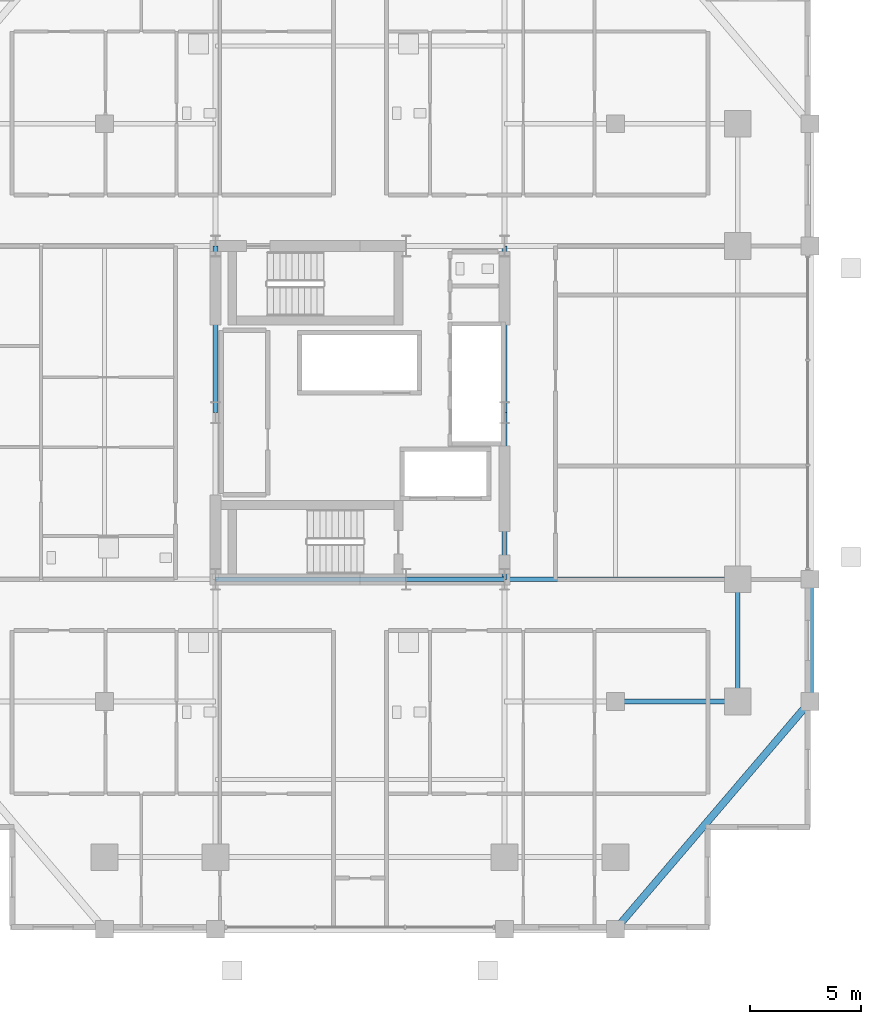
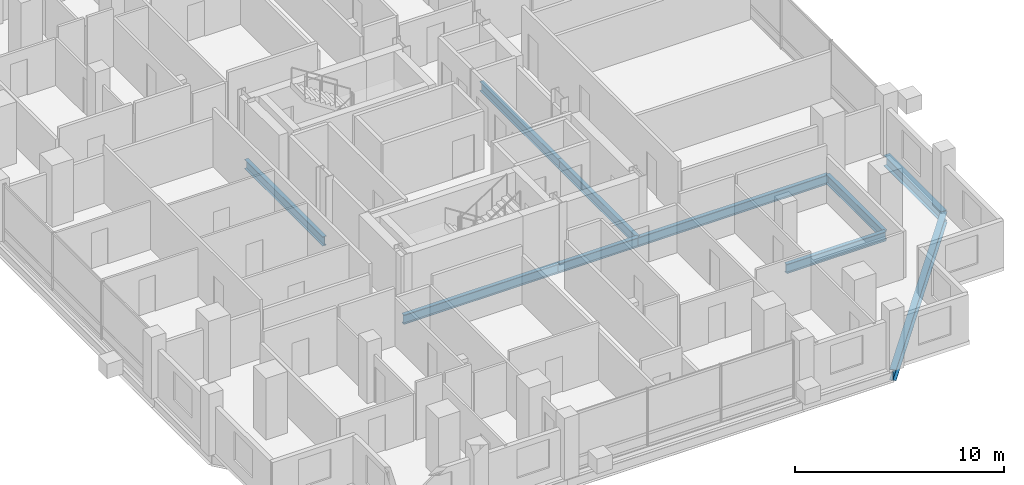
# One storey, part 6 of 20: 10 beams.
"""IFC4 building model written with IfcOpenShell, lengths in metres."""

from ifc_helpers import new_model, si_unit, direction, frame, origin, origin_2d, place, context, subcontext, project, spatial, i_section, extrude, material, material_profile, profile_set, type_object, element, save


model = new_model("IFC4")

# Units and contexts
model_context = context("Model", 3, precision=1e-05, world=origin(), true_north=direction((0.0, 1.0)))
body_context = subcontext(model_context, "Body", "Model", "MODEL_VIEW")
ifc_project = project(units=[si_unit("LENGTHUNIT", "METRE"), si_unit("AREAUNIT", "SQUARE_METRE"), si_unit("VOLUMEUNIT", "CUBIC_METRE"), si_unit("PLANEANGLEUNIT", "RADIAN"), si_unit("MASSUNIT", "GRAM", prefix="KILO")], contexts=[model_context])

# Site, building, storey
site_placement = place(None, origin())
site = spatial("IfcSite", under=ifc_project, at=site_placement, CompositionType="ELEMENT")
building_placement = place(site_placement, origin())
building = spatial("IfcBuilding", under=site, at=building_placement, Name="Barlavira Tower and Art Museum", CompositionType="ELEMENT")
storey_placement = place(building_placement, frame((0.0, 0.0, 136.800048828125)))
storey = spatial("IfcBuildingStorey", under=building, at=storey_placement, Name="L34", CompositionType="ELEMENT", Elevation=136.800048828125)

# Beams
ifc_material = material(Name="Steel S355", Category="steel")
ifc_material_profile_1 = material_profile(ifc_material, i_section(OverallWidth=0.327880859375, OverallDepth=0.62890625, WebThickness=0.013916015625, FlangeThickness=0.021484375, at=origin_2d()), Name="W610x174.0")
ifc_profile_set_1 = profile_set([ifc_material_profile_1], Name="Steel S355")
beam_type_1 = type_object("IfcBeamType", Name="Perimeter Spandrel Edge Beam W610x174 Steel S355", PredefinedType="SPANDREL", material=ifc_profile_set_1)
beam_1_placement = place(storey_placement, frame((11.5, -23.25, -0.53466796875), z_axis=(0.649262379928, 0.760564502202, 0.0), x_axis=(-0.760564502202, 0.649262379928, 0.0)))
element("IfcBeam", 1, at=beam_1_placement, inside=storey, type_object=beam_type_1, Name="L34 Spandrel 4", PredefinedType="SPANDREL", context=body_context, shape_type="SweptSolid", body=[
    extrude(i_section(OverallWidth=0.327880859375, OverallDepth=0.62890625, WebThickness=0.013916015625, FlangeThickness=0.021484375, at=origin_2d()), origin(), (0.0, 0.0, 1.0), 13.476806640625),
])
beam_2_placement = place(storey_placement, frame((20.25, -13.0, -0.53466796875), z_axis=(0.0, 1.0, 0.0), x_axis=(-1.0, 0.0, 0.0)))
element("IfcBeam", 2, at=beam_2_placement, inside=storey, type_object=beam_type_1, Name="L34 Spandrel 5", PredefinedType="SPANDREL", context=body_context, shape_type="SweptSolid", body=[
    extrude(i_section(OverallWidth=0.327880859375, OverallDepth=0.62890625, WebThickness=0.013916015625, FlangeThickness=0.021484375, at=origin_2d()), origin(), (0.0, 0.0, 1.0), 5.5),
])
ifc_material_profile_2 = material_profile(ifc_material, i_section(OverallWidth=0.214111328125, OverallDepth=0.549072265625, WebThickness=0.0146484375, FlangeThickness=0.023681640625, at=origin_2d()), Name="W530x138.0")
ifc_profile_set_2 = profile_set([ifc_material_profile_2], Name="Steel S355")
beam_type_2 = type_object("IfcBeamType", Name="Zone 1 Primary Floor Girder W530x138 Steel S355", PredefinedType="BEAM", material=ifc_profile_set_2)
beam_3_placement = place(storey_placement, frame((-6.5, -7.5, -0.49462890625), z_axis=(1.0, 0.0, 0.0), x_axis=(0.0, 1.0, 0.0)))
element("IfcBeam", 3, at=beam_3_placement, inside=storey, type_object=beam_type_2, Name="L34 Girder C-S1", PredefinedType="BEAM", context=body_context, shape_type="SweptSolid", body=[
    extrude(i_section(OverallWidth=0.214111328125, OverallDepth=0.549072265625, WebThickness=0.0146484375, FlangeThickness=0.023681640625, at=origin_2d()), origin(), (0.0, 0.0, 1.0), 8.580078125),
])
beam_4_placement = place(storey_placement, frame((2.080078125, -7.5, -0.49462890625), z_axis=(1.0, 0.0, 0.0), x_axis=(0.0, 1.0, 0.0)))
element("IfcBeam", 4, at=beam_4_placement, inside=storey, type_object=beam_type_2, Name="L34 Girder C-S2", PredefinedType="BEAM", context=body_context, shape_type="SweptSolid", body=[
    extrude(i_section(OverallWidth=0.214111328125, OverallDepth=0.549072265625, WebThickness=0.0146484375, FlangeThickness=0.023681640625, at=origin_2d()), origin(), (0.0, 0.0, 1.0), 4.419921875),
])
for number, where, z_axis, x_axis, name in (
    (5, (-6.5, 0.0, -0.49462890625), (0.0, 1.0, 0.0), (-1.0, 0.0, 0.0), "L34 Girder C-W2"),
    (6, (6.5, -7.5, -0.49462890625), (0.0, 1.0, 0.0), (-1.0, 0.0, 0.0), "L34 Girder C-E1"),
    (7, (6.5, 0.0, -0.49462890625), (0.0, 1.0, 0.0), (-1.0, 0.0, 0.0), "L34 Girder C-E2"),
):
    element("IfcBeam", number, at=place(storey_placement, frame(where, z_axis=z_axis, x_axis=x_axis)), inside=storey, type_object=beam_type_2, Name=name, PredefinedType="BEAM", context=body_context, shape_type="SweptSolid", body=[
        extrude(i_section(OverallWidth=0.214111328125, OverallDepth=0.549072265625, WebThickness=0.0146484375, FlangeThickness=0.023681640625, at=origin_2d()), origin(), (0.0, 0.0, 1.0), 7.5),
    ])
beam_5_placement = place(storey_placement, frame((17.0, -13.0, -0.49462890625), z_axis=(0.0, 1.0, 0.0), x_axis=(-1.0, 0.0, 0.0)))
element("IfcBeam", 8, at=beam_5_placement, inside=storey, type_object=beam_type_2, Name="L34 Girder M-E1", PredefinedType="BEAM", context=body_context, shape_type="SweptSolid", body=[
    extrude(i_section(OverallWidth=0.214111328125, OverallDepth=0.549072265625, WebThickness=0.0146484375, FlangeThickness=0.023681640625, at=origin_2d()), origin(), (0.0, 0.0, 1.0), 5.5),
])
beam_6_placement = place(storey_placement, frame((6.5, -7.5, -0.49462890625), z_axis=(1.0, 0.0, 0.0), x_axis=(0.0, 1.0, 0.0)))
element("IfcBeam", 9, at=beam_6_placement, inside=storey, type_object=beam_type_2, Name="L34 Girder R-E1", PredefinedType="BEAM", context=body_context, shape_type="SweptSolid", body=[
    extrude(i_section(OverallWidth=0.214111328125, OverallDepth=0.549072265625, WebThickness=0.0146484375, FlangeThickness=0.023681640625, at=origin_2d()), origin(), (0.0, 0.0, 1.0), 10.5),
])
beam_7_placement = place(storey_placement, frame((11.5, -13.0, -0.49462890625), z_axis=(1.0, 0.0, 0.0), x_axis=(0.0, 1.0, 0.0)))
element("IfcBeam", 10, at=beam_7_placement, inside=storey, type_object=beam_type_2, Name="L34 Girder I-S4", PredefinedType="BEAM", context=body_context, shape_type="SweptSolid", body=[
    extrude(i_section(OverallWidth=0.214111328125, OverallDepth=0.549072265625, WebThickness=0.0146484375, FlangeThickness=0.023681640625, at=origin_2d()), origin(), (0.0, 0.0, 1.0), 5.5),
])

save(model, "model.ifc")
